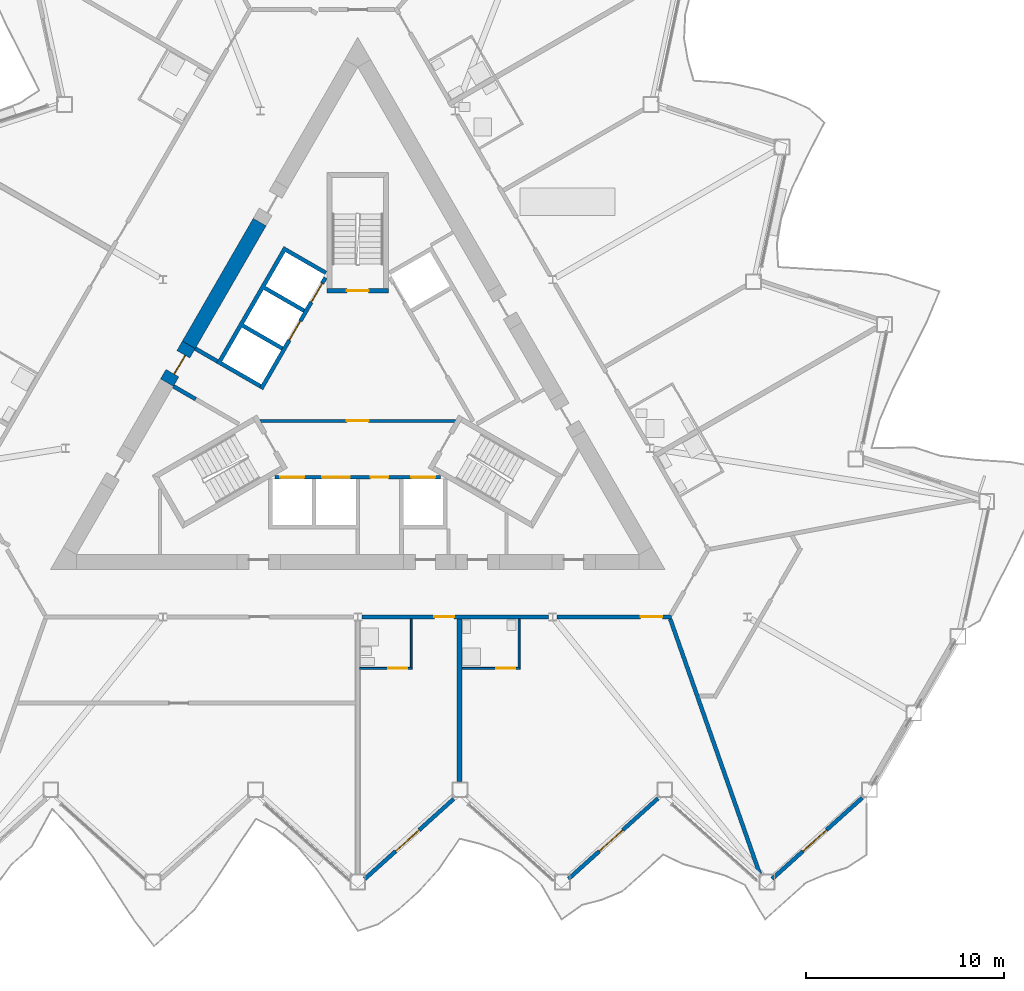
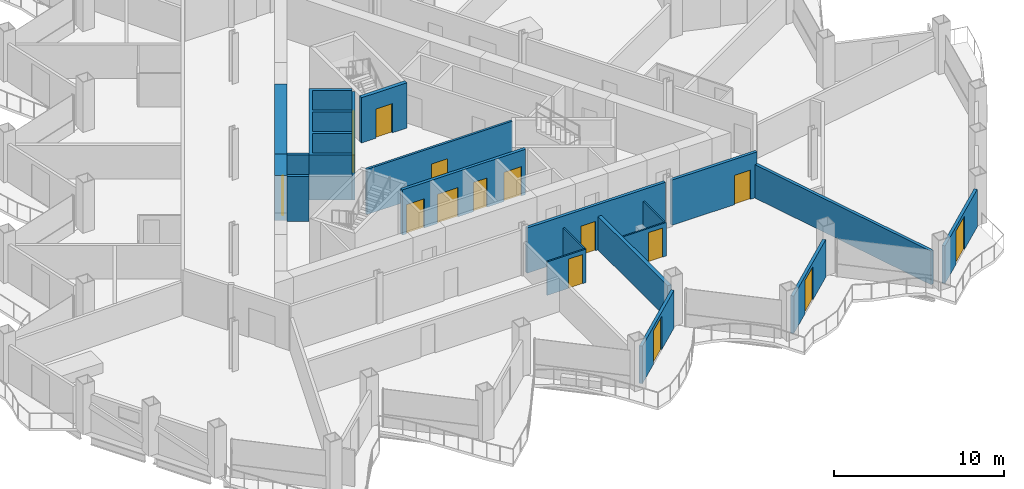
# One storey, part 11 of 22: 20 walls, 16 doors, 16 openings.
"""IFC4 building model written with IfcOpenShell, lengths in metres."""

import ifcopenshell
import ifcopenshell.guid

model = None  # the IFC model being written
_history = None  # IfcOwnerHistory: only IFC2X3 demands one
_inside = {}  # id of a spatial element -> (the spatial element, [elements in it])
_under = {}  # id of a project, library or spatial element -> (it, [spatial elements below it])
_declared = {}  # id of a project -> (the project, [libraries it declares])
_typed = {}  # id of a type object -> (the type object, [elements of that type])
_made_of = {}  # id of a material, layer set ... -> (it, [elements and type objects made of it])


def new_model(schema):
    """Start an empty IFC model of exactly this schema.

    Asked for "IFC4X3", IfcOpenShell would pick the latest addendum, in which some entities
    have other attributes; the version numbers below select the first issue.
    IFC2X3 requires an IfcOwnerHistory on every rooted entity: one is made here for all.
    """
    global model, _history
    if schema == "IFC4X3":
        model = ifcopenshell.file(schema_version=(4, 3, 0, 0))
    else:
        model = ifcopenshell.file(schema=schema)
    _inside.clear()
    _under.clear()
    _declared.clear()
    _typed.clear()
    _made_of.clear()
    _history = None
    if model.schema == "IFC2X3":
        org = make("IfcOrganization", Name="unknown")
        user = make(
            "IfcPersonAndOrganization",
            ThePerson=make("IfcPerson", FamilyName="unknown"),
            TheOrganization=org,
        )
        app = make(
            "IfcApplication",
            ApplicationDeveloper=org,
            Version="unknown",
            ApplicationFullName="unknown",
            ApplicationIdentifier="unknown",
        )
        _history = make(
            "IfcOwnerHistory",
            OwningUser=user,
            OwningApplication=app,
            ChangeAction="ADDED",
            CreationDate=0,
        )
    return model


def make(cls, **values):
    """One entity of the class cls with the attributes given. An attribute that is None is left unset."""
    return model.create_entity(
        cls, **{name: value for name, value in values.items() if value is not None}
    )


def rooted(cls, **values):
    """An entity with a GlobalId (a new one), such as an element, a storey or a relation."""
    return make(cls, GlobalId=ifcopenshell.guid.new(), OwnerHistory=_history, **values)


def si_unit(unit_type, name, prefix=None):
    """IfcSIUnit, for example si_unit("LENGTHUNIT", "METRE", prefix="MILLI")."""
    return make("IfcSIUnit", UnitType=unit_type, Prefix=prefix, Name=name)


def assignment(units):
    """IfcUnitAssignment: the units of a project."""
    return None if units is None else make("IfcUnitAssignment", Units=units)


def point(xyz):
    """IfcCartesianPoint."""
    return None if xyz is None else make("IfcCartesianPoint", Coordinates=xyz)


def direction(xyz):
    """IfcDirection."""
    return None if xyz is None else make("IfcDirection", DirectionRatios=xyz)


def frame(location, z_axis=None, x_axis=None):
    """IfcAxis2Placement3D, a coordinate frame: its origin and axes. An axis left out is left unset."""
    return make(
        "IfcAxis2Placement3D",
        Location=point(location),
        Axis=direction(z_axis),
        RefDirection=direction(x_axis),
    )


def frame_2d(location, x_axis=None):
    """IfcAxis2Placement2D, a coordinate frame in the plane: its origin and x axis."""
    return make(
        "IfcAxis2Placement2D", Location=point(location), RefDirection=direction(x_axis)
    )


def origin():
    """The frame at (0, 0, 0) with its axes left unset."""
    return frame((0.0, 0.0, 0.0))


def place(relative_to, where):
    """IfcLocalPlacement: puts the frame where relative to a parent placement (None: the world)."""
    return make(
        "IfcLocalPlacement", PlacementRelTo=relative_to, RelativePlacement=where
    )


def context(
    kind, dimensions, precision=None, world=None, true_north=None, identifier=None
):
    """IfcGeometricRepresentationContext, for example the 3D "Model" context."""
    return make(
        "IfcGeometricRepresentationContext",
        ContextIdentifier=identifier,
        ContextType=kind,
        CoordinateSpaceDimension=dimensions,
        Precision=precision,
        WorldCoordinateSystem=world,
        TrueNorth=true_north,
    )


def subcontext(parent, identifier, kind, view, scale=None):
    """IfcGeometricRepresentationSubContext, for example "Body" below "Model"."""
    return make(
        "IfcGeometricRepresentationSubContext",
        ContextIdentifier=identifier,
        ContextType=kind,
        ParentContext=parent,
        TargetScale=scale,
        TargetView=view,
    )


def project(units=None, contexts=None):
    """IfcProject with its units and contexts."""
    return rooted(
        "IfcProject",
        Name="project",
        RepresentationContexts=contexts,
        UnitsInContext=assignment(units),
    )


def spatial(cls, under=None, at=None, **own):
    """A site, building, storey or space (cls), placed at a placement, below another one or the project."""
    s = rooted(cls, ObjectPlacement=at, **own)
    if under is not None:
        _under.setdefault(under.id(), (under, []))[1].append(s)
    return s


def polyline(points):
    """IfcPolyline through the points."""
    return make("IfcPolyline", Points=[point(p) for p in points])


def profile(cls, at=None, kind="AREA", **sizes):
    """A parametric profile (cls). Its sizes go by their IFC names, for example OverallWidth=200.0."""
    return make(cls, ProfileType=kind, Position=at, **sizes)


def rectangle(**sizes):
    """IfcRectangleProfileDef."""
    return profile("IfcRectangleProfileDef", **sizes)


def outline(outer, holes=None, kind="AREA"):
    """IfcArbitraryClosedProfileDef: a profile drawn as a closed curve; with holes, ...WithVoids."""
    if holes is None:
        return make("IfcArbitraryClosedProfileDef", ProfileType=kind, OuterCurve=outer)
    return make(
        "IfcArbitraryProfileDefWithVoids",
        ProfileType=kind,
        OuterCurve=outer,
        InnerCurves=holes,
    )


def extrude(swept, where, along, depth):
    """IfcExtrudedAreaSolid: the profile swept, set in the frame where, extruded along a direction by depth."""
    return make(
        "IfcExtrudedAreaSolid",
        SweptArea=swept,
        Position=where,
        ExtrudedDirection=direction(along),
        Depth=depth,
    )


def shape(context_of_items, identifier, shape_type, items):
    """IfcShapeRepresentation: the items that make up one representation, for example the "Body"."""
    return make(
        "IfcShapeRepresentation",
        ContextOfItems=context_of_items,
        RepresentationIdentifier=identifier,
        RepresentationType=shape_type,
        Items=items,
    )


def material(Name=None, Category=None):
    """IfcMaterial."""
    return make("IfcMaterial", Name=Name, Category=Category)


def layer(
    of_material, thickness, ventilated=None, Name=None, Category=None, Priority=None
):
    """IfcMaterialLayer: one layer of a wall or slab, of a material (None: an air gap)."""
    return make(
        "IfcMaterialLayer",
        Material=of_material,
        LayerThickness=thickness,
        IsVentilated=ventilated,
        Name=Name,
        Category=Category,
        Priority=Priority,
    )


def layer_set(layers, Name=None):
    """IfcMaterialLayerSet."""
    return make("IfcMaterialLayerSet", MaterialLayers=layers, LayerSetName=Name)


def made_of(thing, what):
    """Note that an element or type object is made of a material, layer set ...; save() writes the relation."""
    if what is not None:
        _made_of.setdefault(what.id(), (what, []))[1].append(thing)
    return thing


def type_object(cls, material=None, **own):
    """A type object (cls), such as IfcWallType, which elements share."""
    return made_of(rooted(cls, **own), material)


def element(
    cls,
    number,
    at=None,
    inside=None,
    cuts=None,
    type_object=None,
    material=None,
    context=None,
    identifier="Body",
    shape_type=None,
    held_by="IfcProductDefinitionShape",
    body=None,
    shapes=None,
    **own,
):
    """One element of the class cls, such as IfcWall. Its Tag is "e" and its number.

    at: its placement. inside: the storey or other place that contains it. cuts: it is an
    opening in that element (IfcRelVoidsElement). A single representation is given by context,
    identifier, shape_type and body (its items); several are given by shapes. held_by: the class
    of the entity that holds the representations. save() writes the other relations.
    """
    e = rooted(cls, Tag="e%d" % number, ObjectPlacement=at, **own)
    if body is not None:
        shapes = [shape(context, identifier, shape_type, body)]
    if shapes is not None:
        e.Representation = make(held_by, Representations=shapes)
    if inside is not None:
        _inside.setdefault(inside.id(), (inside, []))[1].append(e)
    if cuts is not None:
        rooted(
            "IfcRelVoidsElement", RelatingBuildingElement=cuts, RelatedOpeningElement=e
        )
    if type_object is not None:
        _typed.setdefault(type_object.id(), (type_object, []))[1].append(e)
    return made_of(e, material)


def fill(opening, filler):
    """IfcRelFillsElement: the door or window that sits in an opening."""
    return rooted(
        "IfcRelFillsElement",
        RelatingOpeningElement=opening,
        RelatedBuildingElement=filler,
    )


def aggregate(whole, parts):
    """IfcRelAggregates: a whole, such as a stair, and the parts it consists of."""
    return rooted("IfcRelAggregates", RelatingObject=whole, RelatedObjects=parts)


def save(model, path):
    """Write the relations noted so far, then the file.

    IfcRelAggregates (storeys below a building ...), IfcRelContainedInSpatialStructure (elements
    in a storey), IfcRelDefinesByType, IfcRelAssociatesMaterial and IfcRelDeclares: one each for
    every whole, place, type object, material and project.
    """
    for whole, parts in _under.values():
        aggregate(whole, parts)
    for where, things in _inside.values():
        rooted(
            "IfcRelContainedInSpatialStructure",
            RelatedElements=things,
            RelatingStructure=where,
        )
    for kind, things in _typed.values():
        rooted("IfcRelDefinesByType", RelatedObjects=things, RelatingType=kind)
    for what, things in _made_of.values():
        rooted("IfcRelAssociatesMaterial", RelatedObjects=things, RelatingMaterial=what)
    for by, libraries in _declared.values():
        rooted("IfcRelDeclares", RelatingContext=by, RelatedDefinitions=libraries)
    model.write(path)


model = new_model("IFC4")

# Units and contexts
model_context = context("Model", 3, precision=1e-05, world=origin(), true_north=direction((0.0, 1.0)))
body_context = subcontext(model_context, "Body", "Model", "MODEL_VIEW")
ifc_project = project(units=[si_unit("LENGTHUNIT", "METRE"), si_unit("AREAUNIT", "SQUARE_METRE"), si_unit("VOLUMEUNIT", "CUBIC_METRE"), si_unit("PLANEANGLEUNIT", "RADIAN"), si_unit("MASSUNIT", "GRAM", prefix="KILO")], contexts=[model_context])

# Site, building, storey
site_placement = place(None, origin())
site = spatial("IfcSite", under=ifc_project, at=site_placement, CompositionType="ELEMENT")
building_placement = place(site_placement, origin())
building = spatial("IfcBuilding", under=site, at=building_placement, Name="Cormorant Prow Tower", CompositionType="ELEMENT")
storey_placement = place(building_placement, frame((0.0, 0.0, 190.800048828125)))
storey = spatial("IfcBuildingStorey", under=building, at=storey_placement, Name="L41", CompositionType="ELEMENT", Elevation=190.800048828125)

# Wall, opening, door
ifc_material_1 = material(Name="Gypsum board partition")
ifc_layer_1 = layer(ifc_material_1, 0.14990234375)
ifc_layer_set_1 = layer_set([ifc_layer_1], Name="Gypsum board partition")
wall_type_1 = type_object("IfcWallType", Name="Core partition 150", PredefinedType="PARTITIONING", material=ifc_layer_set_1)
wall_1_placement = place(storey_placement, frame((-4.941162109375, -1.449951171875, 0.0), z_axis=(0.0, 0.0, 1.0), x_axis=(1.0, 0.0, 0.0)))
wall_1 = element("IfcWall", 1, at=wall_1_placement, inside=storey, type_object=wall_type_1, Name="Firefighting lobby partition", PredefinedType="PARTITIONING", context=body_context, shape_type="SweptSolid", body=[
    extrude(rectangle(XDim=9.88232421875, YDim=0.14990234375, at=frame_2d((4.941162109375, 0.0))), origin(), (0.0, 0.0, 1.0), 3.25),
])
opening_1_placement = place(wall_1_placement, frame((4.39111328125, 0.0, 0.0)))
opening_1 = element("IfcOpeningElement", 2, at=opening_1_placement, cuts=wall_1, Name="Opening L41-C09", PredefinedType="OPENING", context=body_context, shape_type="SweptSolid", body=[
    extrude(rectangle(XDim=1.10009765625, YDim=2.10009765625, at=frame_2d((0.550048828125, 1.050048828125))), frame((0.0, 0.0849609375, 0.0), z_axis=(0.0, -1.0, 0.0), x_axis=(1.0, 0.0, 0.0)), (0.0, 0.0, 1.0), 0.169921875),
])
ifc_material_2 = material(Name="Painted steel", Category="steel")
door_type_1 = type_object("IfcDoorType", Name="Firefighting lobby door 1100x2100", OperationType="NOTDEFINED", PredefinedType="DOOR", material=ifc_material_2)
door_1_placement = place(opening_1_placement, origin())
door_1 = element("IfcDoor", 3, at=door_1_placement, inside=storey, type_object=door_type_1, Name="Firefighting lobby door", OperationType="SINGLE_SWING_RIGHT", OverallHeight=2.10009765625, OverallWidth=1.10009765625, PredefinedType="DOOR", context=body_context, shape_type="SweptSolid", body=[
    extrude(rectangle(XDim=1.10009765625, YDim=2.10009765625, at=frame_2d((0.550048828125, 1.050048828125))), frame((0.0, 0.02490234375, 0.0), z_axis=(0.0, -1.0, 0.0), x_axis=(1.0, 0.0, 0.0)), (0.0, 0.0, 1.0), 0.050048828125),
])
fill(opening_1, door_1)

# Wall
ifc_material_3 = material(Name="Concrete 8000 psi", Category="concrete")
ifc_layer_2 = layer(ifc_material_3, 0.75)
ifc_layer_set_2 = layer_set([ifc_layer_2], Name="Concrete 8000 psi")
wall_type_2 = type_object("IfcWallType", Name="Core shear wall 750", PredefinedType="SHEAR", material=ifc_layer_set_2)
wall_2_placement = place(storey_placement, frame((-4.949951171875, 8.57421875, 0.0), z_axis=(0.0, 0.0, 1.0), x_axis=(-0.499987463267, -0.866032641749, 0.0)))
element("IfcWall", 4, at=wall_2_placement, inside=storey, type_object=wall_type_2, Name="Core wall", PredefinedType="SHEAR", context=body_context, shape_type="SweptSolid", body=[
    extrude(rectangle(XDim=7.150634765625, YDim=0.75, at=frame_2d((3.5751953125, 0.0))), origin(), (0.0, 0.0, 1.0), 3.25),
])

# Wall, opening, door
wall_3_placement = place(storey_placement, frame((-8.525146484375, 2.381591796875, 0.0), z_axis=(0.0, 0.0, 1.0), x_axis=(-0.500077893725, -0.86598042715, 0.0)))
wall_3 = element("IfcWall", 5, at=wall_3_placement, inside=storey, type_object=wall_type_2, Name="Core wall door panel", PredefinedType="SHEAR", context=body_context, shape_type="SweptSolid", body=[
    extrude(rectangle(XDim=2.199951171875, YDim=0.75, at=frame_2d((1.10009765625, 0.0))), origin(), (0.0, 0.0, 1.0), 3.25),
])
opening_2_placement = place(wall_3_placement, frame((0.550048828125, 0.0, 0.0)))
opening_2 = element("IfcOpeningElement", 6, at=opening_2_placement, cuts=wall_3, Name="Opening L41-C21", PredefinedType="OPENING", context=body_context, shape_type="SweptSolid", body=[
    extrude(rectangle(XDim=1.10009765625, YDim=2.10009765625, at=frame_2d((0.550048828125, 1.050048828125))), frame((0.0, 0.385009765625, 0.0), z_axis=(0.0, -1.0, 0.0), x_axis=(1.0, 0.0, 0.0)), (0.0, 0.0, 1.0), 0.77001953125),
])
ifc_material_4 = material(Name="Painted steel", Category="steel")
door_type_2 = type_object("IfcDoorType", Name="Core door 1100x2100", OperationType="NOTDEFINED", PredefinedType="DOOR", material=ifc_material_4)
door_2_placement = place(opening_2_placement, origin())
door_2 = element("IfcDoor", 7, at=door_2_placement, inside=storey, type_object=door_type_2, Name="Core door, lift lobby", OperationType="SINGLE_SWING_LEFT", OverallHeight=2.10009765625, OverallWidth=1.10009765625, PredefinedType="DOOR", context=body_context, shape_type="SweptSolid", body=[
    extrude(rectangle(XDim=1.10009765625, YDim=2.10009765625, at=frame_2d((0.550048828125, 1.050048828125))), frame((0.0, 0.1298828125, 0.0), z_axis=(0.0, -1.0, 0.0), x_axis=(1.0, 0.0, 0.0)), (0.0, 0.0, 1.0), 0.050048828125),
])
fill(opening_2, door_2)

ifc_material_5 = material(Name="Gypsum board corridor wall")
ifc_layer_3 = layer(ifc_material_5, 0.199951171875)
ifc_layer_set_3 = layer_set([ifc_layer_3], Name="Gypsum board corridor wall")
wall_type_3 = type_object("IfcWallType", Name="Corridor wall 200", PredefinedType="PARTITIONING", material=ifc_layer_set_3)
wall_4_placement = place(storey_placement, frame((0.213623046875, -11.348876953125, 0.0), z_axis=(0.0, 0.0, 1.0), x_axis=(1.0, 0.0, 0.0)))
wall_4 = element("IfcWall", 8, at=wall_4_placement, inside=storey, type_object=wall_type_3, Name="Corridor wall", PredefinedType="PARTITIONING", context=body_context, shape_type="SweptSolid", body=[
    extrude(rectangle(XDim=9.401123046875, YDim=0.199951171875, at=frame_2d((4.70068359375, 0.0))), origin(), (0.0, 0.0, 1.0), 3.25),
])
opening_3_placement = place(wall_4_placement, frame((3.650390625, 0.0, 0.0)))
opening_3 = element("IfcOpeningElement", 9, at=opening_3_placement, cuts=wall_4, Name="Opening L41-F03", PredefinedType="OPENING", context=body_context, shape_type="SweptSolid", body=[
    extrude(rectangle(XDim=1.0, YDim=2.10009765625, at=frame_2d((0.5, 1.050048828125))), frame((0.0, 0.10986328125, 0.0), z_axis=(0.0, -1.0, 0.0), x_axis=(1.0, 0.0, 0.0)), (0.0, 0.0, 1.0), 0.219970703125),
])
ifc_material_6 = material(Name="Timber door leaf", Category="wood")
door_type_3 = type_object("IfcDoorType", Name="Flat or room entrance door 1000x2100", OperationType="NOTDEFINED", PredefinedType="DOOR", material=ifc_material_6)
door_3_placement = place(opening_3_placement, origin())
door_3 = element("IfcDoor", 10, at=door_3_placement, inside=storey, type_object=door_type_3, Name="Guest room door", OperationType="SINGLE_SWING_RIGHT", OverallHeight=2.10009765625, OverallWidth=1.0, PredefinedType="DOOR", context=body_context, shape_type="SweptSolid", body=[
    extrude(rectangle(XDim=1.0, YDim=2.10009765625, at=frame_2d((0.5, 1.050048828125))), frame((0.0, 0.02490234375, 0.0), z_axis=(0.0, -1.0, 0.0), x_axis=(1.0, 0.0, 0.0)), (0.0, 0.0, 1.0), 0.050048828125),
])
fill(opening_3, door_3)

wall_5_placement = place(storey_placement, frame((10.042236328125, -11.348876953125, 0.0), z_axis=(0.0, 0.0, 1.0), x_axis=(1.0, 0.0, 0.0)))
wall_5 = element("IfcWall", 11, at=wall_5_placement, inside=storey, type_object=wall_type_3, Name="Corridor wall", PredefinedType="PARTITIONING", context=body_context, shape_type="SweptSolid", body=[
    extrude(rectangle(XDim=5.78857421875, YDim=0.199951171875, at=frame_2d((2.894287109375, 0.0))), origin(), (0.0, 0.0, 1.0), 3.25),
])
opening_4_placement = place(wall_5_placement, frame((4.234375, 0.0, 0.0)))
opening_4 = element("IfcOpeningElement", 12, at=opening_4_placement, cuts=wall_5, Name="Opening L41-F05", PredefinedType="OPENING", context=body_context, shape_type="SweptSolid", body=[
    extrude(rectangle(XDim=1.10009765625, YDim=2.10009765625, at=frame_2d((0.550048828125, 1.050048828125))), frame((0.0, 0.10986328125, 0.0), z_axis=(0.0, -1.0, 0.0), x_axis=(1.0, 0.0, 0.0)), (0.0, 0.0, 1.0), 0.219970703125),
])
ifc_material_7 = material(Name="Timber door leaf", Category="wood")
door_type_4 = type_object("IfcDoorType", Name="Suite entrance door 1100x2100", OperationType="NOTDEFINED", PredefinedType="DOOR", material=ifc_material_7)
door_4_placement = place(opening_4_placement, origin())
door_4 = element("IfcDoor", 13, at=door_4_placement, inside=storey, type_object=door_type_4, Name="Executive suite bedroom door", OperationType="SINGLE_SWING_RIGHT", OverallHeight=2.10009765625, OverallWidth=1.10009765625, PredefinedType="DOOR", context=body_context, shape_type="SweptSolid", body=[
    extrude(rectangle(XDim=1.10009765625, YDim=2.10009765625, at=frame_2d((0.550048828125, 1.050048828125))), frame((0.0, 0.02490234375, 0.0), z_axis=(0.0, -1.0, 0.0), x_axis=(1.0, 0.0, 0.0)), (0.0, 0.0, 1.0), 0.050048828125),
])
fill(opening_4, door_4)

# Wall
ifc_material_8 = material(Name="Gypsum board demising wall")
ifc_layer_4 = layer(ifc_material_8, 0.199951171875)
ifc_layer_set_4 = layer_set([ifc_layer_4], Name="Gypsum board demising wall")
wall_type_4 = type_object("IfcWallType", Name="Demising wall 200", PredefinedType="PARTITIONING", material=ifc_layer_set_4)
wall_6_placement = place(storey_placement, frame((15.763916015625, -11.443359375, 0.0), z_axis=(0.0, 0.0, 1.0), x_axis=(0.331517429591, -0.943449094481, 0.0)))
element("IfcWall", 14, at=wall_6_placement, inside=storey, type_object=wall_type_4, Name="Demising wall", PredefinedType="PARTITIONING", context=body_context, shape_type="SweptSolid", body=[
    extrude(rectangle(XDim=13.639404296875, YDim=0.199951171875, at=frame_2d((6.81982421875, 0.0))), origin(), (0.0, 0.0, 1.0), 2.404052734375),
])

# Wall, opening, door
ifc_material_9 = material(Name="Gypsum board partition")
ifc_layer_5 = layer(ifc_material_9, 0.10009765625)
ifc_layer_set_5 = layer_set([ifc_layer_5], Name="Gypsum board partition")
wall_type_5 = type_object("IfcWallType", Name="Internal partition 100", PredefinedType="PARTITIONING", material=ifc_layer_set_5)
wall_7_placement = place(storey_placement, frame((5.263427734375, -13.948974609375, 0.0), z_axis=(0.0, 0.0, 1.0), x_axis=(1.0, 0.0, 0.0)))
wall_7 = element("IfcWall", 15, at=wall_7_placement, inside=storey, type_object=wall_type_5, Name="Internal partition", PredefinedType="PARTITIONING", context=body_context, shape_type="SweptSolid", body=[
    extrude(rectangle(XDim=2.925048828125, YDim=0.10009765625, at=frame_2d((1.46240234375, 0.0))), origin(), (0.0, 0.0, 1.0), 2.404052734375),
])
opening_5_placement = place(wall_7_placement, frame((1.72509765625, 0.0, 0.0)))
opening_5 = element("IfcOpeningElement", 16, at=opening_5_placement, cuts=wall_7, Name="Opening L41-F06", PredefinedType="OPENING", context=body_context, shape_type="SweptSolid", body=[
    extrude(rectangle(XDim=0.949951171875, YDim=2.10009765625, at=frame_2d((0.47509765625, 1.050048828125))), frame((0.0, 0.06005859375, 0.0), z_axis=(0.0, -1.0, 0.0), x_axis=(1.0, 0.0, 0.0)), (0.0, 0.0, 1.0), 0.1201171875),
])
ifc_material_10 = material(Name="Timber door leaf", Category="wood")
door_type_5 = type_object("IfcDoorType", Name="Bathroom door 950x2100", OperationType="NOTDEFINED", PredefinedType="DOOR", material=ifc_material_10)
door_5_placement = place(opening_5_placement, origin())
door_5 = element("IfcDoor", 17, at=door_5_placement, inside=storey, type_object=door_type_5, Name="Executive suite bedroom door", OperationType="SINGLE_SWING_RIGHT", OverallHeight=2.10009765625, OverallWidth=0.949951171875, PredefinedType="DOOR", context=body_context, shape_type="SweptSolid", body=[
    extrude(rectangle(XDim=0.949951171875, YDim=2.10009765625, at=frame_2d((0.47509765625, 1.050048828125))), frame((0.0, 0.02490234375, 0.0), z_axis=(0.0, -1.0, 0.0), x_axis=(1.0, 0.0, 0.0)), (0.0, 0.0, 1.0), 0.050048828125),
])
fill(opening_5, door_5)

wall_8_placement = place(storey_placement, frame((0.10009765625, -13.948974609375, 0.0), z_axis=(0.0, 0.0, 1.0), x_axis=(1.0, 0.0, 0.0)))
wall_8 = element("IfcWall", 18, at=wall_8_placement, inside=storey, type_object=wall_type_5, Name="Internal partition", PredefinedType="PARTITIONING", context=body_context, shape_type="SweptSolid", body=[
    extrude(rectangle(XDim=2.64990234375, YDim=0.10009765625, at=frame_2d((1.324951171875, 0.0))), origin(), (0.0, 0.0, 1.0), 2.404052734375),
])
opening_6_placement = place(wall_8_placement, frame((1.449951171875, 0.0, 0.0)))
opening_6 = element("IfcOpeningElement", 19, at=opening_6_placement, cuts=wall_8, Name="Opening L41-F04", PredefinedType="OPENING", context=body_context, shape_type="SweptSolid", body=[
    extrude(rectangle(XDim=0.949951171875, YDim=2.10009765625, at=frame_2d((0.47509765625, 1.050048828125))), frame((0.0, 0.06005859375, 0.0), z_axis=(0.0, -1.0, 0.0), x_axis=(1.0, 0.0, 0.0)), (0.0, 0.0, 1.0), 0.1201171875),
])
door_6_placement = place(opening_6_placement, origin())
door_6 = element("IfcDoor", 20, at=door_6_placement, inside=storey, type_object=door_type_5, Name="Guest room door", OperationType="SINGLE_SWING_RIGHT", OverallHeight=2.10009765625, OverallWidth=0.949951171875, PredefinedType="DOOR", context=body_context, shape_type="SweptSolid", body=[
    extrude(rectangle(XDim=0.949951171875, YDim=2.10009765625, at=frame_2d((0.47509765625, 1.050048828125))), frame((0.0, 0.02490234375, 0.0), z_axis=(0.0, -1.0, 0.0), x_axis=(1.0, 0.0, 0.0)), (0.0, 0.0, 1.0), 0.050048828125),
])
fill(opening_6, door_6)

# Walls
for number, where, z_axis, x_axis, name in (
    (21, (2.699951171875, -13.89892578125, 0.0), (0.0, 0.0, 1.0), (0.0, 1.0, 0.0), "Internal partition"),
    (22, (8.138427734375, -13.89892578125, 0.0), (0.0, 0.0, 1.0), (0.0, 1.0, 0.0), "Internal partition"),
):
    element("IfcWall", number, at=place(storey_placement, frame(where, z_axis=z_axis, x_axis=x_axis)), inside=storey, type_object=wall_type_5, Name=name, PredefinedType="PARTITIONING", context=body_context, shape_type="SweptSolid", body=[
        extrude(rectangle(XDim=2.449951171875, YDim=0.10009765625, at=frame_2d((1.22509765625, 0.0))), origin(), (0.0, 0.0, 1.0), 2.404052734375),
    ])

# Wall, openings, doors
ifc_material_11 = material(Name="Concrete 5000 psi", Category="concrete")
ifc_layer_6 = layer(ifc_material_11, 0.199951171875)
ifc_layer_set_6 = layer_set([ifc_layer_6], Name="Concrete 5000 psi")
wall_type_6 = type_object("IfcWallType", Name="Lift lobby wall 200", PredefinedType="SOLIDWALL", material=ifc_layer_set_6)
wall_9_placement = place(storey_placement, frame((-4.1865234375, -4.300048828125, 0.0), z_axis=(0.0, 0.0, 1.0), x_axis=(1.0, 0.0, 0.0)))
wall_9 = element("IfcWall", 23, at=wall_9_placement, inside=storey, type_object=wall_type_6, Name="Lift lobby wall, S block", PredefinedType="SOLIDWALL", context=body_context, shape_type="SweptSolid", body=[
    extrude(rectangle(XDim=8.373046875, YDim=0.199951171875, at=frame_2d((4.1865234375, 0.0))), origin(), (0.0, 0.0, 1.0), 3.25),
])
opening_7_placement = place(wall_9_placement, frame((0.28662109375, 0.0, 0.0)))
opening_7 = element("IfcOpeningElement", 24, at=opening_7_placement, cuts=wall_9, Name="Opening L41-C01", PredefinedType="OPENING", context=body_context, shape_type="SweptSolid", body=[
    extrude(rectangle(XDim=1.199951171875, YDim=2.10009765625, at=frame_2d((0.60009765625, 1.050048828125))), frame((0.0, 0.10986328125, 0.0), z_axis=(0.0, -1.0, 0.0), x_axis=(1.0, 0.0, 0.0)), (0.0, 0.0, 1.0), 0.219970703125),
])
opening_8_placement = place(wall_9_placement, frame((2.38671875, 0.0, 0.0)))
opening_8 = element("IfcOpeningElement", 25, at=opening_8_placement, cuts=wall_9, Name="Opening L41-C02", PredefinedType="OPENING", context=body_context, shape_type="SweptSolid", body=[
    extrude(rectangle(XDim=1.39990234375, YDim=2.10009765625, at=frame_2d((0.699951171875, 1.050048828125))), frame((0.0, 0.10986328125, 0.0), z_axis=(0.0, -1.0, 0.0), x_axis=(1.0, 0.0, 0.0)), (0.0, 0.0, 1.0), 0.219970703125),
])
opening_9_placement = place(wall_9_placement, frame((4.836669921875, 0.0, 0.0)))
opening_9 = element("IfcOpeningElement", 26, at=opening_9_placement, cuts=wall_9, Name="Opening L41-C03", PredefinedType="OPENING", context=body_context, shape_type="SweptSolid", body=[
    extrude(rectangle(XDim=0.89990234375, YDim=2.10009765625, at=frame_2d((0.449951171875, 1.050048828125))), frame((0.0, 0.10986328125, 0.0), z_axis=(0.0, -1.0, 0.0), x_axis=(1.0, 0.0, 0.0)), (0.0, 0.0, 1.0), 0.219970703125),
])
opening_10_placement = place(wall_9_placement, frame((6.88671875, 0.0, 0.0)))
opening_10 = element("IfcOpeningElement", 27, at=opening_10_placement, cuts=wall_9, Name="Opening L41-C04", PredefinedType="OPENING", context=body_context, shape_type="SweptSolid", body=[
    extrude(rectangle(XDim=1.199951171875, YDim=2.10009765625, at=frame_2d((0.60009765625, 1.050048828125))), frame((0.0, 0.10986328125, 0.0), z_axis=(0.0, -1.0, 0.0), x_axis=(1.0, 0.0, 0.0)), (0.0, 0.0, 1.0), 0.219970703125),
])
ifc_material_12 = material(Name="Painted steel", Category="steel")
door_type_6 = type_object("IfcDoorType", Name="Firefighting lift landing door 1200x2100", OperationType="SLIDING_TO_LEFT", PredefinedType="DOOR", material=ifc_material_12)
door_7_placement = place(opening_7_placement, origin())
door_7 = element("IfcDoor", 28, at=door_7_placement, inside=storey, type_object=door_type_6, Name="Landing door FL1", OperationType="SLIDING_TO_LEFT", OverallHeight=2.10009765625, OverallWidth=1.199951171875, PredefinedType="DOOR", context=body_context, shape_type="SweptSolid", body=[
    extrude(rectangle(XDim=1.199951171875, YDim=2.10009765625, at=frame_2d((0.60009765625, 1.050048828125))), frame((0.0, 0.02490234375, 0.0), z_axis=(0.0, -1.0, 0.0), x_axis=(1.0, 0.0, 0.0)), (0.0, 0.0, 1.0), 0.050048828125),
])
fill(opening_7, door_7)
door_8_placement = place(opening_10_placement, origin())
door_8 = element("IfcDoor", 29, at=door_8_placement, inside=storey, type_object=door_type_6, Name="Landing door FL2", OperationType="SLIDING_TO_LEFT", OverallHeight=2.10009765625, OverallWidth=1.199951171875, PredefinedType="DOOR", context=body_context, shape_type="SweptSolid", body=[
    extrude(rectangle(XDim=1.199951171875, YDim=2.10009765625, at=frame_2d((0.60009765625, 1.050048828125))), frame((0.0, 0.02490234375, 0.0), z_axis=(0.0, -1.0, 0.0), x_axis=(1.0, 0.0, 0.0)), (0.0, 0.0, 1.0), 0.050048828125),
])
fill(opening_10, door_8)
ifc_material_13 = material(Name="Painted steel", Category="steel")
door_type_7 = type_object("IfcDoorType", Name="Service door 900x2100", OperationType="NOTDEFINED", PredefinedType="DOOR", material=ifc_material_13)
door_9_placement = place(opening_9_placement, origin())
door_9 = element("IfcDoor", 30, at=door_9_placement, inside=storey, type_object=door_type_7, Name="Service door, Refuse store", OperationType="SINGLE_SWING_RIGHT", OverallHeight=2.10009765625, OverallWidth=0.89990234375, PredefinedType="DOOR", context=body_context, shape_type="SweptSolid", body=[
    extrude(rectangle(XDim=0.89990234375, YDim=2.10009765625, at=frame_2d((0.449951171875, 1.050048828125))), frame((0.0, 0.02490234375, 0.0), z_axis=(0.0, -1.0, 0.0), x_axis=(1.0, 0.0, 0.0)), (0.0, 0.0, 1.0), 0.050048828125),
])
fill(opening_9, door_9)
ifc_material_14 = material(Name="Painted steel", Category="steel")
door_type_8 = type_object("IfcDoorType", Name="Service lift landing door 1400x2100", OperationType="SLIDING_TO_LEFT", PredefinedType="DOOR", material=ifc_material_14)
door_10_placement = place(opening_8_placement, origin())
door_10 = element("IfcDoor", 31, at=door_10_placement, inside=storey, type_object=door_type_8, Name="Landing door SL1", OperationType="SLIDING_TO_LEFT", OverallHeight=2.10009765625, OverallWidth=1.39990234375, PredefinedType="DOOR", context=body_context, shape_type="SweptSolid", body=[
    extrude(rectangle(XDim=1.39990234375, YDim=2.10009765625, at=frame_2d((0.699951171875, 1.050048828125))), frame((0.0, 0.02490234375, 0.0), z_axis=(0.0, -1.0, 0.0), x_axis=(1.0, 0.0, 0.0)), (0.0, 0.0, 1.0), 0.050048828125),
])
fill(opening_8, door_10)

wall_10_placement = place(storey_placement, frame((-1.630615234375, 5.775634765625, 0.0), z_axis=(0.0, 0.0, 1.0), x_axis=(-0.499992876559, -0.866029516466, 0.0)))
wall_10 = element("IfcWall", 32, at=wall_10_placement, inside=storey, type_object=wall_type_6, Name="Lift lobby wall, WNW block", PredefinedType="SOLIDWALL", context=body_context, shape_type="SweptSolid", body=[
    extrude(rectangle(XDim=6.486328125, YDim=0.199951171875, at=frame_2d((3.2431640625, 0.0))), origin(), (0.0, 0.0, 1.0), 3.25),
])
opening_11_placement = place(wall_10_placement, frame((0.336669921875, 0.0, 0.0)))
opening_11 = element("IfcOpeningElement", 33, at=opening_11_placement, cuts=wall_10, Name="Opening L41-C07", PredefinedType="OPENING", context=body_context, shape_type="SweptSolid", body=[
    extrude(rectangle(XDim=1.10009765625, YDim=2.10009765625, at=frame_2d((0.550048828125, 1.050048828125))), frame((0.0, 0.10986328125, 0.0), z_axis=(0.0, -1.0, 0.0), x_axis=(1.0, 0.0, 0.0)), (0.0, 0.0, 1.0), 0.219970703125),
])
opening_12_placement = place(wall_10_placement, frame((2.53662109375, 0.0, 0.0)))
opening_12 = element("IfcOpeningElement", 34, at=opening_12_placement, cuts=wall_10, Name="Opening L41-C08", PredefinedType="OPENING", context=body_context, shape_type="SweptSolid", body=[
    extrude(rectangle(XDim=1.10009765625, YDim=2.10009765625, at=frame_2d((0.550048828125, 1.050048828125))), frame((0.0, 0.10986328125, 0.0), z_axis=(0.0, -1.0, 0.0), x_axis=(1.0, 0.0, 0.0)), (0.0, 0.0, 1.0), 0.219970703125),
])
ifc_material_15 = material(Name="Painted steel", Category="steel")
door_type_9 = type_object("IfcDoorType", Name="Lift landing door 1100x2100", OperationType="SLIDING_TO_LEFT", PredefinedType="DOOR", material=ifc_material_15)
door_11_placement = place(opening_11_placement, origin())
door_11 = element("IfcDoor", 35, at=door_11_placement, inside=storey, type_object=door_type_9, Name="Landing door MR2", OperationType="SLIDING_TO_LEFT", OverallHeight=2.10009765625, OverallWidth=1.10009765625, PredefinedType="DOOR", context=body_context, shape_type="SweptSolid", body=[
    extrude(rectangle(XDim=1.10009765625, YDim=2.10009765625, at=frame_2d((0.550048828125, 1.050048828125))), frame((0.0, 0.02490234375, 0.0), z_axis=(0.0, -1.0, 0.0), x_axis=(1.0, 0.0, 0.0)), (0.0, 0.0, 1.0), 0.050048828125),
])
fill(opening_11, door_11)
door_12_placement = place(opening_12_placement, origin())
door_12 = element("IfcDoor", 36, at=door_12_placement, inside=storey, type_object=door_type_9, Name="Landing door MR3", OperationType="SLIDING_TO_LEFT", OverallHeight=2.10009765625, OverallWidth=1.10009765625, PredefinedType="DOOR", context=body_context, shape_type="SweptSolid", body=[
    extrude(rectangle(XDim=1.10009765625, YDim=2.10009765625, at=frame_2d((0.550048828125, 1.050048828125))), frame((0.0, 0.02490234375, 0.0), z_axis=(0.0, -1.0, 0.0), x_axis=(1.0, 0.0, 0.0)), (0.0, 0.0, 1.0), 0.050048828125),
])
fill(opening_12, door_12)

# Walls
ifc_material_16 = material(Name="Concrete 8000 psi", Category="concrete")
ifc_layer_7 = layer(ifc_material_16, 0.199951171875)
ifc_layer_set_7 = layer_set([ifc_layer_7], Name="Concrete 8000 psi")
wall_type_7 = type_object("IfcWallType", Name="Lift shaft wall 200", PredefinedType="SHEAR", material=ifc_layer_set_7)
wall_11_placement = place(storey_placement, origin())
element("IfcWall", 37, at=wall_11_placement, inside=storey, type_object=wall_type_7, Name="Lift shaft walls, WNW block", PredefinedType="SHEAR", context=body_context, shape_type="SweptSolid", body=[
    extrude(outline(polyline([(-4.96044921875, 0.2080078125), (-7.130859375, 1.461181640625), (-3.730712890625, 7.35009765625), (-1.560546875, 6.09716796875), (-1.660400390625, 5.923828125), (-3.65234375, 7.073974609375), (-4.65234375, 5.341796875), (-2.660400390625, 4.19189453125), (-2.760498046875, 4.018798828125), (-4.75244140625, 5.168701171875), (-5.75244140625, 3.4365234375), (-3.760498046875, 2.28662109375), (-3.860595703125, 2.11328125), (-5.852294921875, 3.263427734375), (-6.852294921875, 1.53125), (-4.860595703125, 0.38134765625), (-4.96044921875, 0.2080078125)])), origin(), (0.0, 0.0, 1.0), 3.25),
])
for number, where, z_axis, x_axis, name in (
    (38, (-7.080810546875, 1.547607421875, 0.0), (0.0, 0.0, 1.0), (-0.866003189247, 0.500038474733, 0.0), "Lobby passage wall"),
    (39, (-8.180908203125, -0.357421875, 0.0), (0.0, 0.0, 1.0), (-0.866003189247, 0.500038474733, 0.0), "Lobby passage wall"),
):
    element("IfcWall", number, at=place(storey_placement, frame(where, z_axis=z_axis, x_axis=x_axis)), inside=storey, type_object=wall_type_7, Name=name, PredefinedType="SHEAR", context=body_context, shape_type="SweptSolid", body=[
        extrude(rectangle(XDim=1.29296875, YDim=0.199951171875, at=frame_2d((0.646484375, 0.0))), origin(), (0.0, 0.0, 1.0), 3.25),
    ])

# Wall, opening, door
ifc_material_17 = material(Name="Concrete 8000 psi", Category="concrete")
ifc_layer_8 = layer(ifc_material_17, 0.25)
ifc_layer_set_8 = layer_set([ifc_layer_8], Name="Concrete 8000 psi")
wall_type_8 = type_object("IfcWallType", Name="Stair wall 250", PredefinedType="SHEAR", material=ifc_layer_set_8)
wall_12_placement = place(storey_placement, frame((1.5439453125, 5.11181640625, 0.0), z_axis=(0.0, 0.0, 1.0), x_axis=(-1.0, 0.0, 0.0)))
wall_12 = element("IfcWall", 40, at=wall_12_placement, inside=storey, type_object=wall_type_8, Name="Stair ST3 door wall", PredefinedType="SHEAR", context=body_context, shape_type="SweptSolid", body=[
    extrude(rectangle(XDim=3.087890625, YDim=0.25, at=frame_2d((1.5439453125, 0.0))), origin(), (0.0, 0.0, 1.0), 3.25),
])
opening_13_placement = place(wall_12_placement, frame((0.993896484375, 0.0, 0.0)))
opening_13 = element("IfcOpeningElement", 41, at=opening_13_placement, cuts=wall_12, Name="Opening L41-C12", PredefinedType="OPENING", context=body_context, shape_type="SweptSolid", body=[
    extrude(rectangle(XDim=1.10009765625, YDim=2.10009765625, at=frame_2d((0.550048828125, 1.050048828125))), frame((0.0, 0.135009765625, 0.0), z_axis=(0.0, -1.0, 0.0), x_axis=(1.0, 0.0, 0.0)), (0.0, 0.0, 1.0), 0.27001953125),
])
ifc_material_18 = material(Name="Painted steel", Category="steel")
door_type_10 = type_object("IfcDoorType", Name="Stair door 1100x2100", OperationType="NOTDEFINED", PredefinedType="DOOR", material=ifc_material_18)
door_13_placement = place(opening_13_placement, origin())
door_13 = element("IfcDoor", 42, at=door_13_placement, inside=storey, type_object=door_type_10, Name="Stair ST3 door", OperationType="SINGLE_SWING_RIGHT", OverallHeight=2.10009765625, OverallWidth=1.10009765625, PredefinedType="DOOR", context=body_context, shape_type="SweptSolid", body=[
    extrude(rectangle(XDim=1.10009765625, YDim=2.10009765625, at=frame_2d((0.550048828125, 1.050048828125))), frame((0.0, 0.02490234375, 0.0), z_axis=(0.0, -1.0, 0.0), x_axis=(1.0, 0.0, 0.0)), (0.0, 0.0, 1.0), 0.050048828125),
])
fill(opening_13, door_13)

# Wall
ifc_material_19 = material(Name="Acoustic gypsum party wall")
ifc_layer_9 = layer(ifc_material_19, 0.25)
ifc_layer_set_9 = layer_set([ifc_layer_9], Name="Acoustic gypsum party wall")
wall_type_9 = type_object("IfcWallType", Name="Suite party wall 250", PredefinedType="PARTITIONING", material=ifc_layer_set_9)
wall_13_placement = place(storey_placement, frame((5.138427734375, -19.661376953125, 0.0), z_axis=(0.0, 0.0, 1.0), x_axis=(0.0, 1.0, 0.0)))
element("IfcWall", 43, at=wall_13_placement, inside=storey, type_object=wall_type_9, Name="Suite party wall", PredefinedType="PARTITIONING", context=body_context, shape_type="SweptSolid", body=[
    extrude(rectangle(XDim=8.21240234375, YDim=0.25, at=frame_2d((4.106201171875, 0.0))), origin(), (0.0, 0.0, 1.0), 2.404052734375),
])

# Wall, opening, door
ifc_material_20 = material(Name="Terracotta", Category="masonry")
ifc_layer_10 = layer(ifc_material_20, 0.199951171875)
ifc_layer_set_10 = layer_set([ifc_layer_10], Name="Terracotta")
wall_type_10 = type_object("IfcWallType", Name="Terracotta jamb wall 200", PredefinedType="SOLIDWALL", material=ifc_layer_set_10)
wall_14_placement = place(storey_placement, frame((0.355224609375, -24.5712890625, 0.0), z_axis=(0.0, 0.0, 1.0), x_axis=(0.743151394339, 0.669123310827, 0.0)))
wall_14 = element("IfcWall", 44, at=wall_14_placement, inside=storey, type_object=wall_type_10, Name="Terracotta jamb wall S05", PredefinedType="SOLIDWALL", context=body_context, shape_type="SweptSolid", body=[
    extrude(rectangle(XDim=6.03857421875, YDim=0.199951171875, at=frame_2d((3.019287109375, 0.0))), origin(), (0.0, 0.0, 1.0), 2.700927734375),
])
opening_14_placement = place(wall_14_placement, frame((2.08935546875, 0.0, 0.0)))
opening_14 = element("IfcOpeningElement", 45, at=opening_14_placement, cuts=wall_14, Name="Opening ED41.03", PredefinedType="OPENING", context=body_context, shape_type="SweptSolid", body=[
    extrude(rectangle(XDim=1.60009765625, YDim=2.39990234375, at=frame_2d((0.800048828125, 1.199951171875))), frame((0.0, 0.10986328125, 0.0), z_axis=(0.0, -1.0, 0.0), x_axis=(1.0, 0.0, 0.0)), (0.0, 0.0, 1.0), 0.219970703125),
])
ifc_material_21 = material(Name="Aluminium 6063-T6", Category="aluminium")
door_type_11 = type_object("IfcDoorType", Name="Balcony door 1600x2400", OperationType="DOUBLE_DOOR_SINGLE_SWING", PredefinedType="DOOR", material=ifc_material_21)
door_14_placement = place(opening_14_placement, origin())
door_14 = element("IfcDoor", 46, at=door_14_placement, inside=storey, type_object=door_type_11, Name="Balcony door S05 ED41.03", OperationType="DOUBLE_DOOR_SINGLE_SWING", OverallHeight=2.39990234375, OverallWidth=1.60009765625, PredefinedType="DOOR", context=body_context, shape_type="SweptSolid", body=[
    extrude(rectangle(XDim=1.60009765625, YDim=2.39990234375, at=frame_2d((0.800048828125, 1.199951171875))), frame((0.0, 0.02490234375, 0.0), z_axis=(0.0, -1.0, 0.0), x_axis=(1.0, 0.0, 0.0)), (0.0, 0.0, 1.0), 0.050048828125),
])
fill(opening_14, door_14)

wall_15_placement = place(storey_placement, frame((10.63232421875, -24.5712890625, 0.0), z_axis=(0.0, 0.0, 1.0), x_axis=(0.743144281997, 0.669131209954, 0.0)))
wall_15 = element("IfcWall", 47, at=wall_15_placement, inside=storey, type_object=wall_type_10, Name="Terracotta jamb wall S07", PredefinedType="SOLIDWALL", context=body_context, shape_type="SweptSolid", body=[
    extrude(rectangle(XDim=6.075927734375, YDim=0.199951171875, at=frame_2d((3.0380859375, 0.0))), origin(), (0.0, 0.0, 1.0), 2.700927734375),
])
opening_15_placement = place(wall_15_placement, frame((2.08935546875, 0.0, 0.0)))
opening_15 = element("IfcOpeningElement", 48, at=opening_15_placement, cuts=wall_15, Name="Opening ED41.04", PredefinedType="OPENING", context=body_context, shape_type="SweptSolid", body=[
    extrude(rectangle(XDim=1.60009765625, YDim=2.39990234375, at=frame_2d((0.800048828125, 1.199951171875))), frame((0.0, 0.10986328125, 0.0), z_axis=(0.0, -1.0, 0.0), x_axis=(1.0, 0.0, 0.0)), (0.0, 0.0, 1.0), 0.219970703125),
])
door_15_placement = place(opening_15_placement, origin())
door_15 = element("IfcDoor", 49, at=door_15_placement, inside=storey, type_object=door_type_11, Name="Balcony door S07 ED41.04", OperationType="DOUBLE_DOOR_SINGLE_SWING", OverallHeight=2.39990234375, OverallWidth=1.60009765625, PredefinedType="DOOR", context=body_context, shape_type="SweptSolid", body=[
    extrude(rectangle(XDim=1.60009765625, YDim=2.39990234375, at=frame_2d((0.800048828125, 1.199951171875))), frame((0.0, 0.02490234375, 0.0), z_axis=(0.0, -1.0, 0.0), x_axis=(1.0, 0.0, 0.0)), (0.0, 0.0, 1.0), 0.050048828125),
])
fill(opening_15, door_15)

wall_16_placement = place(storey_placement, frame((20.9091796875, -24.5712890625, 0.0), z_axis=(0.0, 0.0, 1.0), x_axis=(0.743153082589, 0.669121435794, 0.0)))
wall_16 = element("IfcWall", 50, at=wall_16_placement, inside=storey, type_object=wall_type_10, Name="Terracotta jamb wall S09", PredefinedType="SOLIDWALL", context=body_context, shape_type="SweptSolid", body=[
    extrude(rectangle(XDim=6.11083984375, YDim=0.199951171875, at=frame_2d((3.055419921875, 0.0))), origin(), (0.0, 0.0, 1.0), 2.700927734375),
])
opening_16_placement = place(wall_16_placement, frame((2.08935546875, 0.0, 0.0)))
opening_16 = element("IfcOpeningElement", 51, at=opening_16_placement, cuts=wall_16, Name="Opening ED41.05", PredefinedType="OPENING", context=body_context, shape_type="SweptSolid", body=[
    extrude(rectangle(XDim=1.60009765625, YDim=2.39990234375, at=frame_2d((0.800048828125, 1.199951171875))), frame((0.0, 0.10986328125, 0.0), z_axis=(0.0, -1.0, 0.0), x_axis=(1.0, 0.0, 0.0)), (0.0, 0.0, 1.0), 0.219970703125),
])
door_16_placement = place(opening_16_placement, origin())
door_16 = element("IfcDoor", 52, at=door_16_placement, inside=storey, type_object=door_type_11, Name="Balcony door S09 ED41.05", OperationType="DOUBLE_DOOR_SINGLE_SWING", OverallHeight=2.39990234375, OverallWidth=1.60009765625, PredefinedType="DOOR", context=body_context, shape_type="SweptSolid", body=[
    extrude(rectangle(XDim=1.60009765625, YDim=2.39990234375, at=frame_2d((0.800048828125, 1.199951171875))), frame((0.0, 0.02490234375, 0.0), z_axis=(0.0, -1.0, 0.0), x_axis=(1.0, 0.0, 0.0)), (0.0, 0.0, 1.0), 0.050048828125),
])
fill(opening_16, door_16)

save(model, "model.ifc")
